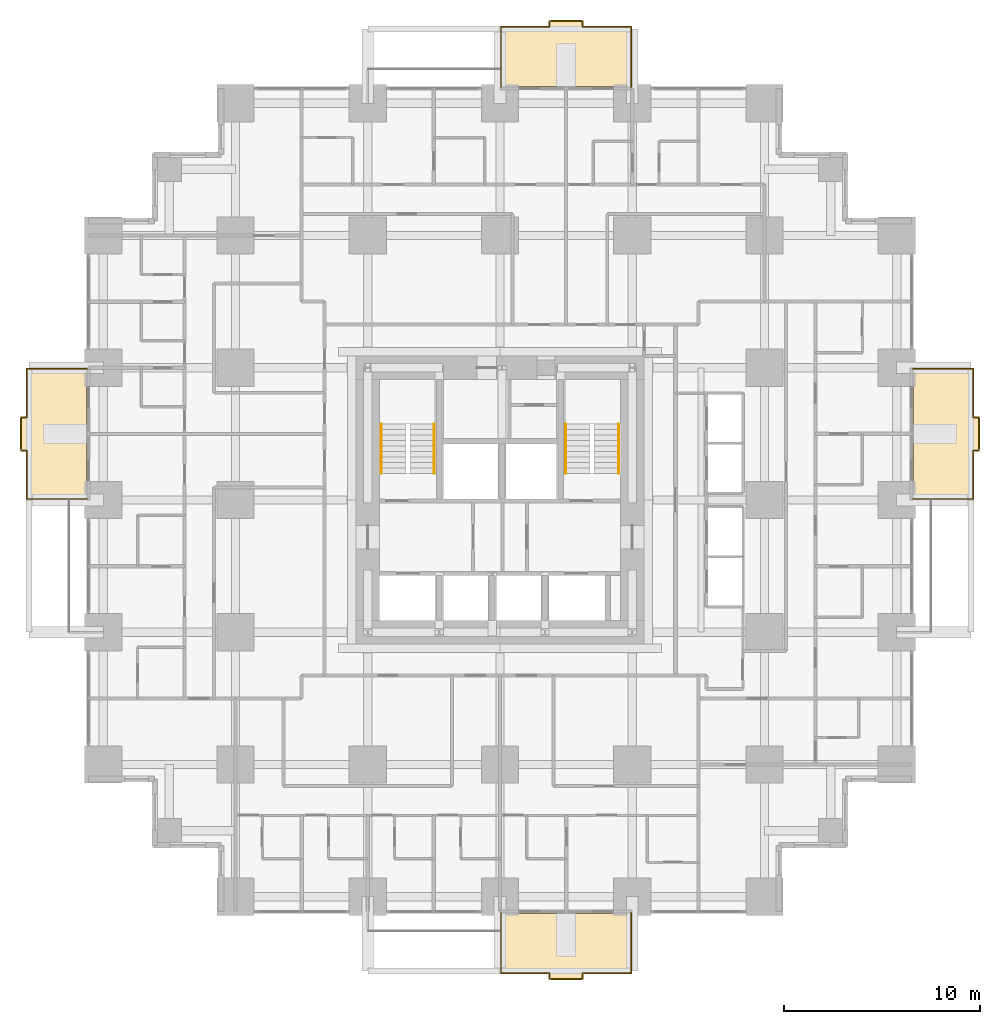
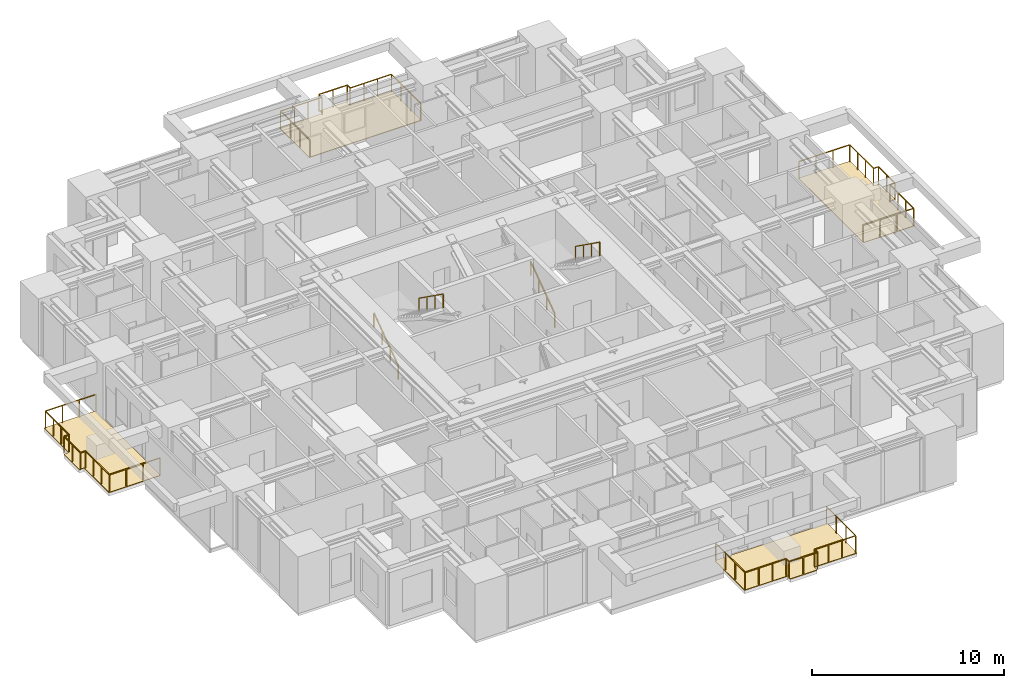
# One storey, part 14 of 14: 8 railings, 4 coverings.
"""IFC4 building model written with IfcOpenShell, lengths in metres."""

from ifc_helpers import new_model, si_unit, direction, frame, origin, origin_2d, place, context, subcontext, project, spatial, polyline, rectangle, outline, extrude, material, layer, layer_set, type_object, element, save


model = new_model("IFC4")

# Units and contexts
model_context = context("Model", 3, precision=1e-05, world=origin(), true_north=direction((0.0, 1.0)))
body_context = subcontext(model_context, "Body", "Model", "MODEL_VIEW")
ifc_project = project(units=[si_unit("LENGTHUNIT", "METRE"), si_unit("AREAUNIT", "SQUARE_METRE"), si_unit("VOLUMEUNIT", "CUBIC_METRE"), si_unit("PLANEANGLEUNIT", "RADIAN"), si_unit("MASSUNIT", "GRAM", prefix="KILO")], contexts=[model_context])

# Site, building, storey
site_placement = place(None, origin())
site = spatial("IfcSite", under=ifc_project, at=site_placement, CompositionType="ELEMENT")
building_placement = place(site_placement, origin())
building = spatial("IfcBuilding", under=site, at=building_placement, Name="Nyansa Garden Tower", CompositionType="ELEMENT")
storey_placement = place(building_placement, frame((0.0, 0.0, 43.199951171875)))
storey = spatial("IfcBuildingStorey", under=building, at=storey_placement, Name="L11", CompositionType="ELEMENT", Elevation=43.199951171875)

# Coverings
ifc_material_1 = material(Name="Hardwood decking on pedestals", Category="wood")
ifc_layer = layer(ifc_material_1, 0.0400390625)
ifc_layer_set = layer_set([ifc_layer], Name="Balcony decking DK40")
covering_type = type_object("IfcCoveringType", Name="Balcony decking DK40", PredefinedType="FLOORING", material=ifc_layer_set)
covering_1_placement = place(storey_placement, frame((0.0, 0.0, -0.0400390625)))
element("IfcCovering", 1, at=covering_1_placement, inside=storey, type_object=covering_type, Name="Balcony decking L11", PredefinedType="FLOORING", context=body_context, shape_type="SweptSolid", body=[
    extrude(outline(polyline([(20.25, -0.85009765625), (27.0, -0.85009765625), (27.0, -3.949951171875), (24.425048828125, -3.949951171875), (24.425048828125, -4.25), (22.824951171875, -4.25), (22.824951171875, -3.949951171875), (20.25, -3.949951171875), (20.25, -0.85009765625)])), origin(), (0.0, 0.0, 1.0), 0.0400390625),
])
covering_2_placement = place(storey_placement, frame((0.0, 0.0, -0.0400390625)))
element("IfcCovering", 2, at=covering_2_placement, inside=storey, type_object=covering_type, Name="Balcony decking L11", PredefinedType="FLOORING", context=body_context, shape_type="SweptSolid", body=[
    extrude(outline(polyline([(41.35009765625, 20.25), (41.35009765625, 27.0), (44.449951171875, 27.0), (44.449951171875, 24.425048828125), (44.75, 24.425048828125), (44.75, 22.824951171875), (44.449951171875, 22.824951171875), (44.449951171875, 20.25), (41.35009765625, 20.25)])), origin(), (0.0, 0.0, 1.0), 0.0400390625),
])
covering_3_placement = place(storey_placement, frame((0.0, 0.0, -0.0400390625)))
element("IfcCovering", 3, at=covering_3_placement, inside=storey, type_object=covering_type, Name="Balcony decking L11", PredefinedType="FLOORING", context=body_context, shape_type="SweptSolid", body=[
    extrude(outline(polyline([(20.25, 41.35009765625), (27.0, 41.35009765625), (27.0, 44.449951171875), (24.425048828125, 44.449951171875), (24.425048828125, 44.75), (22.824951171875, 44.75), (22.824951171875, 44.449951171875), (20.25, 44.449951171875), (20.25, 41.35009765625)])), origin(), (0.0, 0.0, 1.0), 0.0400390625),
])
covering_4_placement = place(storey_placement, frame((0.0, 0.0, -0.0400390625)))
element("IfcCovering", 4, at=covering_4_placement, inside=storey, type_object=covering_type, Name="Balcony decking L11", PredefinedType="FLOORING", context=body_context, shape_type="SweptSolid", body=[
    extrude(outline(polyline([(-0.85009765625, 20.25), (-0.85009765625, 27.0), (-3.949951171875, 27.0), (-3.949951171875, 24.425048828125), (-4.25, 24.425048828125), (-4.25, 22.824951171875), (-3.949951171875, 22.824951171875), (-3.949951171875, 20.25), (-0.85009765625, 20.25)])), origin(), (0.0, 0.0, 1.0), 0.0400390625),
])

# Railings
ifc_material_2 = material(Name="Black powder-coated steel balusters, laminated glass infill", Category="steel")
railing_type_1 = type_object("IfcRailingType", Name="Balcony guard G1", PredefinedType="GUARDRAIL", material=ifc_material_2)
railing_1_placement = place(storey_placement, frame((20.300048828125, -0.85009765625, 0.0)))
element("IfcRailing", 5, at=railing_1_placement, inside=storey, type_object=railing_type_1, Name="Balcony guard L11", PredefinedType="GUARDRAIL", context=body_context, shape_type="SweptSolid", body=[
    extrude(rectangle(XDim=0.048095703125, YDim=0.048095703125, at=origin_2d()), frame((0.0, 0.0, 1.076171875), z_axis=(0.0, -1.0, 0.0), x_axis=(1.0, 0.0, 0.0)), (0.0, 0.0, 1.0), 3.0498046875),
    extrude(rectangle(XDim=0.048095703125, YDim=0.048095703125, at=origin_2d()), frame((0.0, -3.0498046875, 1.076171875), z_axis=(1.0, 0.0, 0.0), x_axis=(0.0, 1.0, 0.0)), (0.0, 0.0, 1.0), 2.474853515625),
    extrude(rectangle(XDim=0.048095703125, YDim=0.048095703125, at=origin_2d()), frame((2.474853515625, -3.0498046875, 1.076171875), z_axis=(0.0, -1.0, 0.0), x_axis=(1.0, 0.0, 0.0)), (0.0, 0.0, 1.0), 0.300048828125),
    extrude(rectangle(XDim=0.048095703125, YDim=0.048095703125, at=origin_2d()), frame((2.474853515625, -3.349853515625, 1.076171875), z_axis=(1.0, 0.0, 0.0), x_axis=(0.0, 1.0, 0.0)), (0.0, 0.0, 1.0), 1.7001953125),
    extrude(rectangle(XDim=0.048095703125, YDim=0.048095703125, at=origin_2d()), frame((4.175048828125, -3.349853515625, 1.076171875), z_axis=(0.0, 1.0, 0.0), x_axis=(-1.0, 0.0, 0.0)), (0.0, 0.0, 1.0), 0.300048828125),
    extrude(rectangle(XDim=0.048095703125, YDim=0.048095703125, at=origin_2d()), frame((4.175048828125, -3.0498046875, 1.076171875), z_axis=(1.0, 0.0, 0.0), x_axis=(0.0, 1.0, 0.0)), (0.0, 0.0, 1.0), 2.474853515625),
    extrude(rectangle(XDim=0.048095703125, YDim=0.048095703125, at=origin_2d()), frame((6.64990234375, -3.0498046875, 1.076171875), z_axis=(0.0, 1.0, 0.0), x_axis=(-1.0, 0.0, 0.0)), (0.0, 0.0, 1.0), 3.0498046875),
    extrude(rectangle(XDim=0.0419921875, YDim=0.0419921875, at=origin_2d()), origin(), (0.0, 0.0, 1.0), 1.052001953125),
    extrude(rectangle(XDim=0.0419921875, YDim=0.0419921875, at=origin_2d()), frame((0.0, -1.0166015625, 0.0)), (0.0, 0.0, 1.0), 1.052001953125),
    extrude(rectangle(XDim=0.0419921875, YDim=0.0419921875, at=origin_2d()), frame((0.0, -2.033203125, 0.0)), (0.0, 0.0, 1.0), 1.052001953125),
    extrude(rectangle(XDim=0.0419921875, YDim=0.0419921875, at=origin_2d()), frame((0.0, -3.0498046875, 0.0)), (0.0, 0.0, 1.0), 1.052001953125),
    extrude(rectangle(XDim=0.0419921875, YDim=0.0419921875, at=origin_2d()), frame((0.824951171875, -3.0498046875, 0.0)), (0.0, 0.0, 1.0), 1.052001953125),
    extrude(rectangle(XDim=0.0419921875, YDim=0.0419921875, at=origin_2d()), frame((1.64990234375, -3.0498046875, 0.0)), (0.0, 0.0, 1.0), 1.052001953125),
    extrude(rectangle(XDim=0.0419921875, YDim=0.0419921875, at=origin_2d()), frame((2.474853515625, -3.0498046875, 0.0)), (0.0, 0.0, 1.0), 1.052001953125),
    extrude(rectangle(XDim=0.0419921875, YDim=0.0419921875, at=origin_2d()), frame((2.474853515625, -3.349853515625, 0.0)), (0.0, 0.0, 1.0), 1.052001953125),
    extrude(rectangle(XDim=0.0419921875, YDim=0.0419921875, at=origin_2d()), frame((3.324951171875, -3.349853515625, 0.0)), (0.0, 0.0, 1.0), 1.052001953125),
    extrude(rectangle(XDim=0.0419921875, YDim=0.0419921875, at=origin_2d()), frame((4.175048828125, -3.349853515625, 0.0)), (0.0, 0.0, 1.0), 1.052001953125),
    extrude(rectangle(XDim=0.0419921875, YDim=0.0419921875, at=origin_2d()), frame((4.175048828125, -3.0498046875, 0.0)), (0.0, 0.0, 1.0), 1.052001953125),
    extrude(rectangle(XDim=0.0419921875, YDim=0.0419921875, at=origin_2d()), frame((5.0, -3.0498046875, 0.0)), (0.0, 0.0, 1.0), 1.052001953125),
    extrude(rectangle(XDim=0.0419921875, YDim=0.0419921875, at=origin_2d()), frame((5.824951171875, -3.0498046875, 0.0)), (0.0, 0.0, 1.0), 1.052001953125),
    extrude(rectangle(XDim=0.0419921875, YDim=0.0419921875, at=origin_2d()), frame((6.64990234375, -3.0498046875, 0.0)), (0.0, 0.0, 1.0), 1.052001953125),
    extrude(rectangle(XDim=0.0419921875, YDim=0.0419921875, at=origin_2d()), frame((6.64990234375, -2.033203125, 0.0)), (0.0, 0.0, 1.0), 1.052001953125),
    extrude(rectangle(XDim=0.0419921875, YDim=0.0419921875, at=origin_2d()), frame((6.64990234375, -1.0166015625, 0.0)), (0.0, 0.0, 1.0), 1.052001953125),
    extrude(rectangle(XDim=0.0419921875, YDim=0.0419921875, at=origin_2d()), frame((6.64990234375, 0.0, 0.0)), (0.0, 0.0, 1.0), 1.052001953125),
])
railing_2_placement = place(storey_placement, frame((41.35009765625, 20.300048828125, 0.0)))
element("IfcRailing", 6, at=railing_2_placement, inside=storey, type_object=railing_type_1, Name="Balcony guard L11", PredefinedType="GUARDRAIL", context=body_context, shape_type="SweptSolid", body=[
    extrude(rectangle(XDim=0.048095703125, YDim=0.048095703125, at=origin_2d()), frame((0.0, 0.0, 1.076171875), z_axis=(1.0, 0.0, 0.0), x_axis=(0.0, 1.0, 0.0)), (0.0, 0.0, 1.0), 3.0498046875),
    extrude(rectangle(XDim=0.048095703125, YDim=0.048095703125, at=origin_2d()), frame((3.0498046875, 0.0, 1.076171875), z_axis=(0.0, 1.0, 0.0), x_axis=(-1.0, 0.0, 0.0)), (0.0, 0.0, 1.0), 2.474853515625),
    extrude(rectangle(XDim=0.048095703125, YDim=0.048095703125, at=origin_2d()), frame((3.0498046875, 2.474853515625, 1.076171875), z_axis=(1.0, 0.0, 0.0), x_axis=(0.0, 1.0, 0.0)), (0.0, 0.0, 1.0), 0.300048828125),
    extrude(rectangle(XDim=0.048095703125, YDim=0.048095703125, at=origin_2d()), frame((3.349853515625, 2.474853515625, 1.076171875), z_axis=(0.0, 1.0, 0.0), x_axis=(-1.0, 0.0, 0.0)), (0.0, 0.0, 1.0), 1.7001953125),
    extrude(rectangle(XDim=0.048095703125, YDim=0.048095703125, at=origin_2d()), frame((3.349853515625, 4.175048828125, 1.076171875), z_axis=(-1.0, 0.0, 0.0), x_axis=(0.0, -1.0, 0.0)), (0.0, 0.0, 1.0), 0.300048828125),
    extrude(rectangle(XDim=0.048095703125, YDim=0.048095703125, at=origin_2d()), frame((3.0498046875, 4.175048828125, 1.076171875), z_axis=(0.0, 1.0, 0.0), x_axis=(-1.0, 0.0, 0.0)), (0.0, 0.0, 1.0), 2.474853515625),
    extrude(rectangle(XDim=0.048095703125, YDim=0.048095703125, at=origin_2d()), frame((3.0498046875, 6.64990234375, 1.076171875), z_axis=(-1.0, 0.0, 0.0), x_axis=(0.0, -1.0, 0.0)), (0.0, 0.0, 1.0), 3.0498046875),
    extrude(rectangle(XDim=0.0419921875, YDim=0.0419921875, at=origin_2d()), origin(), (0.0, 0.0, 1.0), 1.052001953125),
    extrude(rectangle(XDim=0.0419921875, YDim=0.0419921875, at=origin_2d()), frame((1.0166015625, 0.0, 0.0)), (0.0, 0.0, 1.0), 1.052001953125),
    extrude(rectangle(XDim=0.0419921875, YDim=0.0419921875, at=origin_2d()), frame((2.033203125, 0.0, 0.0)), (0.0, 0.0, 1.0), 1.052001953125),
    extrude(rectangle(XDim=0.0419921875, YDim=0.0419921875, at=origin_2d()), frame((3.0498046875, 0.0, 0.0)), (0.0, 0.0, 1.0), 1.052001953125),
    extrude(rectangle(XDim=0.0419921875, YDim=0.0419921875, at=origin_2d()), frame((3.0498046875, 0.824951171875, 0.0)), (0.0, 0.0, 1.0), 1.052001953125),
    extrude(rectangle(XDim=0.0419921875, YDim=0.0419921875, at=origin_2d()), frame((3.0498046875, 1.64990234375, 0.0)), (0.0, 0.0, 1.0), 1.052001953125),
    extrude(rectangle(XDim=0.0419921875, YDim=0.0419921875, at=origin_2d()), frame((3.0498046875, 2.474853515625, 0.0)), (0.0, 0.0, 1.0), 1.052001953125),
    extrude(rectangle(XDim=0.0419921875, YDim=0.0419921875, at=origin_2d()), frame((3.349853515625, 2.474853515625, 0.0)), (0.0, 0.0, 1.0), 1.052001953125),
    extrude(rectangle(XDim=0.0419921875, YDim=0.0419921875, at=origin_2d()), frame((3.349853515625, 3.324951171875, 0.0)), (0.0, 0.0, 1.0), 1.052001953125),
    extrude(rectangle(XDim=0.0419921875, YDim=0.0419921875, at=origin_2d()), frame((3.349853515625, 4.175048828125, 0.0)), (0.0, 0.0, 1.0), 1.052001953125),
    extrude(rectangle(XDim=0.0419921875, YDim=0.0419921875, at=origin_2d()), frame((3.0498046875, 4.175048828125, 0.0)), (0.0, 0.0, 1.0), 1.052001953125),
    extrude(rectangle(XDim=0.0419921875, YDim=0.0419921875, at=origin_2d()), frame((3.0498046875, 5.0, 0.0)), (0.0, 0.0, 1.0), 1.052001953125),
    extrude(rectangle(XDim=0.0419921875, YDim=0.0419921875, at=origin_2d()), frame((3.0498046875, 5.824951171875, 0.0)), (0.0, 0.0, 1.0), 1.052001953125),
    extrude(rectangle(XDim=0.0419921875, YDim=0.0419921875, at=origin_2d()), frame((3.0498046875, 6.64990234375, 0.0)), (0.0, 0.0, 1.0), 1.052001953125),
    extrude(rectangle(XDim=0.0419921875, YDim=0.0419921875, at=origin_2d()), frame((2.033203125, 6.64990234375, 0.0)), (0.0, 0.0, 1.0), 1.052001953125),
    extrude(rectangle(XDim=0.0419921875, YDim=0.0419921875, at=origin_2d()), frame((1.0166015625, 6.64990234375, 0.0)), (0.0, 0.0, 1.0), 1.052001953125),
    extrude(rectangle(XDim=0.0419921875, YDim=0.0419921875, at=origin_2d()), frame((0.0, 6.64990234375, 0.0)), (0.0, 0.0, 1.0), 1.052001953125),
])
railing_3_placement = place(storey_placement, frame((20.300048828125, 41.35009765625, 0.0)))
element("IfcRailing", 7, at=railing_3_placement, inside=storey, type_object=railing_type_1, Name="Balcony guard L11", PredefinedType="GUARDRAIL", context=body_context, shape_type="SweptSolid", body=[
    extrude(rectangle(XDim=0.048095703125, YDim=0.048095703125, at=origin_2d()), frame((0.0, 0.0, 1.076171875), z_axis=(0.0, 1.0, 0.0), x_axis=(-1.0, 0.0, 0.0)), (0.0, 0.0, 1.0), 3.0498046875),
    extrude(rectangle(XDim=0.048095703125, YDim=0.048095703125, at=origin_2d()), frame((0.0, 3.0498046875, 1.076171875), z_axis=(1.0, 0.0, 0.0), x_axis=(0.0, 1.0, 0.0)), (0.0, 0.0, 1.0), 2.474853515625),
    extrude(rectangle(XDim=0.048095703125, YDim=0.048095703125, at=origin_2d()), frame((2.474853515625, 3.0498046875, 1.076171875), z_axis=(0.0, 1.0, 0.0), x_axis=(-1.0, 0.0, 0.0)), (0.0, 0.0, 1.0), 0.300048828125),
    extrude(rectangle(XDim=0.048095703125, YDim=0.048095703125, at=origin_2d()), frame((2.474853515625, 3.349853515625, 1.076171875), z_axis=(1.0, 0.0, 0.0), x_axis=(0.0, 1.0, 0.0)), (0.0, 0.0, 1.0), 1.7001953125),
    extrude(rectangle(XDim=0.048095703125, YDim=0.048095703125, at=origin_2d()), frame((4.175048828125, 3.349853515625, 1.076171875), z_axis=(0.0, -1.0, 0.0), x_axis=(1.0, 0.0, 0.0)), (0.0, 0.0, 1.0), 0.300048828125),
    extrude(rectangle(XDim=0.048095703125, YDim=0.048095703125, at=origin_2d()), frame((4.175048828125, 3.0498046875, 1.076171875), z_axis=(1.0, 0.0, 0.0), x_axis=(0.0, 1.0, 0.0)), (0.0, 0.0, 1.0), 2.474853515625),
    extrude(rectangle(XDim=0.048095703125, YDim=0.048095703125, at=origin_2d()), frame((6.64990234375, 3.0498046875, 1.076171875), z_axis=(0.0, -1.0, 0.0), x_axis=(1.0, 0.0, 0.0)), (0.0, 0.0, 1.0), 3.0498046875),
    extrude(rectangle(XDim=0.0419921875, YDim=0.0419921875, at=origin_2d()), origin(), (0.0, 0.0, 1.0), 1.052001953125),
    extrude(rectangle(XDim=0.0419921875, YDim=0.0419921875, at=origin_2d()), frame((0.0, 1.0166015625, 0.0)), (0.0, 0.0, 1.0), 1.052001953125),
    extrude(rectangle(XDim=0.0419921875, YDim=0.0419921875, at=origin_2d()), frame((0.0, 2.033203125, 0.0)), (0.0, 0.0, 1.0), 1.052001953125),
    extrude(rectangle(XDim=0.0419921875, YDim=0.0419921875, at=origin_2d()), frame((0.0, 3.0498046875, 0.0)), (0.0, 0.0, 1.0), 1.052001953125),
    extrude(rectangle(XDim=0.0419921875, YDim=0.0419921875, at=origin_2d()), frame((0.824951171875, 3.0498046875, 0.0)), (0.0, 0.0, 1.0), 1.052001953125),
    extrude(rectangle(XDim=0.0419921875, YDim=0.0419921875, at=origin_2d()), frame((1.64990234375, 3.0498046875, 0.0)), (0.0, 0.0, 1.0), 1.052001953125),
    extrude(rectangle(XDim=0.0419921875, YDim=0.0419921875, at=origin_2d()), frame((2.474853515625, 3.0498046875, 0.0)), (0.0, 0.0, 1.0), 1.052001953125),
    extrude(rectangle(XDim=0.0419921875, YDim=0.0419921875, at=origin_2d()), frame((2.474853515625, 3.349853515625, 0.0)), (0.0, 0.0, 1.0), 1.052001953125),
    extrude(rectangle(XDim=0.0419921875, YDim=0.0419921875, at=origin_2d()), frame((3.324951171875, 3.349853515625, 0.0)), (0.0, 0.0, 1.0), 1.052001953125),
    extrude(rectangle(XDim=0.0419921875, YDim=0.0419921875, at=origin_2d()), frame((4.175048828125, 3.349853515625, 0.0)), (0.0, 0.0, 1.0), 1.052001953125),
    extrude(rectangle(XDim=0.0419921875, YDim=0.0419921875, at=origin_2d()), frame((4.175048828125, 3.0498046875, 0.0)), (0.0, 0.0, 1.0), 1.052001953125),
    extrude(rectangle(XDim=0.0419921875, YDim=0.0419921875, at=origin_2d()), frame((5.0, 3.0498046875, 0.0)), (0.0, 0.0, 1.0), 1.052001953125),
    extrude(rectangle(XDim=0.0419921875, YDim=0.0419921875, at=origin_2d()), frame((5.824951171875, 3.0498046875, 0.0)), (0.0, 0.0, 1.0), 1.052001953125),
    extrude(rectangle(XDim=0.0419921875, YDim=0.0419921875, at=origin_2d()), frame((6.64990234375, 3.0498046875, 0.0)), (0.0, 0.0, 1.0), 1.052001953125),
    extrude(rectangle(XDim=0.0419921875, YDim=0.0419921875, at=origin_2d()), frame((6.64990234375, 2.033203125, 0.0)), (0.0, 0.0, 1.0), 1.052001953125),
    extrude(rectangle(XDim=0.0419921875, YDim=0.0419921875, at=origin_2d()), frame((6.64990234375, 1.0166015625, 0.0)), (0.0, 0.0, 1.0), 1.052001953125),
    extrude(rectangle(XDim=0.0419921875, YDim=0.0419921875, at=origin_2d()), frame((6.64990234375, 0.0, 0.0)), (0.0, 0.0, 1.0), 1.052001953125),
])
railing_4_placement = place(storey_placement, frame((-0.85009765625, 20.300048828125, 0.0)))
element("IfcRailing", 8, at=railing_4_placement, inside=storey, type_object=railing_type_1, Name="Balcony guard L11", PredefinedType="GUARDRAIL", context=body_context, shape_type="SweptSolid", body=[
    extrude(rectangle(XDim=0.048095703125, YDim=0.048095703125, at=origin_2d()), frame((0.0, 0.0, 1.076171875), z_axis=(-1.0, 0.0, 0.0), x_axis=(0.0, -1.0, 0.0)), (0.0, 0.0, 1.0), 3.0498046875),
    extrude(rectangle(XDim=0.048095703125, YDim=0.048095703125, at=origin_2d()), frame((-3.0498046875, 0.0, 1.076171875), z_axis=(0.0, 1.0, 0.0), x_axis=(-1.0, 0.0, 0.0)), (0.0, 0.0, 1.0), 2.474853515625),
    extrude(rectangle(XDim=0.048095703125, YDim=0.048095703125, at=origin_2d()), frame((-3.0498046875, 2.474853515625, 1.076171875), z_axis=(-1.0, 0.0, 0.0), x_axis=(0.0, -1.0, 0.0)), (0.0, 0.0, 1.0), 0.300048828125),
    extrude(rectangle(XDim=0.048095703125, YDim=0.048095703125, at=origin_2d()), frame((-3.349853515625, 2.474853515625, 1.076171875), z_axis=(0.0, 1.0, 0.0), x_axis=(-1.0, 0.0, 0.0)), (0.0, 0.0, 1.0), 1.7001953125),
    extrude(rectangle(XDim=0.048095703125, YDim=0.048095703125, at=origin_2d()), frame((-3.349853515625, 4.175048828125, 1.076171875), z_axis=(1.0, 0.0, 0.0), x_axis=(0.0, 1.0, 0.0)), (0.0, 0.0, 1.0), 0.300048828125),
    extrude(rectangle(XDim=0.048095703125, YDim=0.048095703125, at=origin_2d()), frame((-3.0498046875, 4.175048828125, 1.076171875), z_axis=(0.0, 1.0, 0.0), x_axis=(-1.0, 0.0, 0.0)), (0.0, 0.0, 1.0), 2.474853515625),
    extrude(rectangle(XDim=0.048095703125, YDim=0.048095703125, at=origin_2d()), frame((-3.0498046875, 6.64990234375, 1.076171875), z_axis=(1.0, 0.0, 0.0), x_axis=(0.0, 1.0, 0.0)), (0.0, 0.0, 1.0), 3.0498046875),
    extrude(rectangle(XDim=0.0419921875, YDim=0.0419921875, at=origin_2d()), origin(), (0.0, 0.0, 1.0), 1.052001953125),
    extrude(rectangle(XDim=0.0419921875, YDim=0.0419921875, at=origin_2d()), frame((-1.0166015625, 0.0, 0.0)), (0.0, 0.0, 1.0), 1.052001953125),
    extrude(rectangle(XDim=0.0419921875, YDim=0.0419921875, at=origin_2d()), frame((-2.033203125, 0.0, 0.0)), (0.0, 0.0, 1.0), 1.052001953125),
    extrude(rectangle(XDim=0.0419921875, YDim=0.0419921875, at=origin_2d()), frame((-3.0498046875, 0.0, 0.0)), (0.0, 0.0, 1.0), 1.052001953125),
    extrude(rectangle(XDim=0.0419921875, YDim=0.0419921875, at=origin_2d()), frame((-3.0498046875, 0.824951171875, 0.0)), (0.0, 0.0, 1.0), 1.052001953125),
    extrude(rectangle(XDim=0.0419921875, YDim=0.0419921875, at=origin_2d()), frame((-3.0498046875, 1.64990234375, 0.0)), (0.0, 0.0, 1.0), 1.052001953125),
    extrude(rectangle(XDim=0.0419921875, YDim=0.0419921875, at=origin_2d()), frame((-3.0498046875, 2.474853515625, 0.0)), (0.0, 0.0, 1.0), 1.052001953125),
    extrude(rectangle(XDim=0.0419921875, YDim=0.0419921875, at=origin_2d()), frame((-3.349853515625, 2.474853515625, 0.0)), (0.0, 0.0, 1.0), 1.052001953125),
    extrude(rectangle(XDim=0.0419921875, YDim=0.0419921875, at=origin_2d()), frame((-3.349853515625, 3.324951171875, 0.0)), (0.0, 0.0, 1.0), 1.052001953125),
    extrude(rectangle(XDim=0.0419921875, YDim=0.0419921875, at=origin_2d()), frame((-3.349853515625, 4.175048828125, 0.0)), (0.0, 0.0, 1.0), 1.052001953125),
    extrude(rectangle(XDim=0.0419921875, YDim=0.0419921875, at=origin_2d()), frame((-3.0498046875, 4.175048828125, 0.0)), (0.0, 0.0, 1.0), 1.052001953125),
    extrude(rectangle(XDim=0.0419921875, YDim=0.0419921875, at=origin_2d()), frame((-3.0498046875, 5.0, 0.0)), (0.0, 0.0, 1.0), 1.052001953125),
    extrude(rectangle(XDim=0.0419921875, YDim=0.0419921875, at=origin_2d()), frame((-3.0498046875, 5.824951171875, 0.0)), (0.0, 0.0, 1.0), 1.052001953125),
    extrude(rectangle(XDim=0.0419921875, YDim=0.0419921875, at=origin_2d()), frame((-3.0498046875, 6.64990234375, 0.0)), (0.0, 0.0, 1.0), 1.052001953125),
    extrude(rectangle(XDim=0.0419921875, YDim=0.0419921875, at=origin_2d()), frame((-2.033203125, 6.64990234375, 0.0)), (0.0, 0.0, 1.0), 1.052001953125),
    extrude(rectangle(XDim=0.0419921875, YDim=0.0419921875, at=origin_2d()), frame((-1.0166015625, 6.64990234375, 0.0)), (0.0, 0.0, 1.0), 1.052001953125),
    extrude(rectangle(XDim=0.0419921875, YDim=0.0419921875, at=origin_2d()), frame((0.0, 6.64990234375, 0.0)), (0.0, 0.0, 1.0), 1.052001953125),
])
ifc_material_3 = material(Name="Black powder-coated steel tube 48 mm", Category="steel")
railing_type_2 = type_object("IfcRailingType", Name="Stair handrail HR1", PredefinedType="HANDRAIL", material=ifc_material_3)
railing_5_placement = place(storey_placement, frame((14.199951171875, 21.60009765625, 0.0)))
element("IfcRailing", 9, at=railing_5_placement, inside=storey, type_object=railing_type_2, Name="Stair S1 handrail L11", PredefinedType="HANDRAIL", context=body_context, shape_type="SweptSolid", body=[
    extrude(rectangle(XDim=0.048095703125, YDim=0.048095703125, at=origin_2d()), frame((0.0, 0.0, 0.8759765625), z_axis=(0.0, 0.813728144527, 0.581245650998), x_axis=(-1.0, 0.0, 0.0)), (0.0, 0.0, 1.0), 3.096923828125),
    extrude(rectangle(XDim=0.0419921875, YDim=0.0419921875, at=origin_2d()), origin(), (0.0, 0.0, 1.0), 0.851806640625),
    extrude(rectangle(XDim=0.0419921875, YDim=0.0419921875, at=origin_2d()), frame((0.0, 0.840087890625, 0.60009765625)), (0.0, 0.0, 1.0), 0.851806640625),
    extrude(rectangle(XDim=0.0419921875, YDim=0.0419921875, at=origin_2d()), frame((0.0, 1.679931640625, 1.199951171875)), (0.0, 0.0, 1.0), 0.851806640625),
    extrude(rectangle(XDim=0.0419921875, YDim=0.0419921875, at=origin_2d()), frame((0.0, 2.52001953125, 1.800048828125)), (0.0, 0.0, 1.0), 0.851806640625),
])
railing_6_placement = place(storey_placement, frame((16.89990234375, 24.1201171875, 1.800048828125)))
element("IfcRailing", 10, at=railing_6_placement, inside=storey, type_object=railing_type_2, Name="Stair S1 handrail L11", PredefinedType="HANDRAIL", context=body_context, shape_type="SweptSolid", body=[
    extrude(rectangle(XDim=0.048095703125, YDim=0.048095703125, at=origin_2d()), frame((0.0, 0.0, 0.8759765625), z_axis=(0.0, -0.813728144527, 0.581245650998), x_axis=(1.0, 0.0, 0.0)), (0.0, 0.0, 1.0), 3.096923828125),
    extrude(rectangle(XDim=0.0419921875, YDim=0.0419921875, at=origin_2d()), origin(), (0.0, 0.0, 1.0), 0.851806640625),
    extrude(rectangle(XDim=0.0419921875, YDim=0.0419921875, at=origin_2d()), frame((0.0, -0.840087890625, 0.60009765625)), (0.0, 0.0, 1.0), 0.851806640625),
    extrude(rectangle(XDim=0.0419921875, YDim=0.0419921875, at=origin_2d()), frame((0.0, -1.679931640625, 1.199951171875)), (0.0, 0.0, 1.0), 0.851806640625),
    extrude(rectangle(XDim=0.0419921875, YDim=0.0419921875, at=origin_2d()), frame((0.0, -2.52001953125, 1.800048828125)), (0.0, 0.0, 1.0), 0.851806640625),
])
railing_7_placement = place(storey_placement, frame((23.60009765625, 21.60009765625, 0.0)))
element("IfcRailing", 11, at=railing_7_placement, inside=storey, type_object=railing_type_2, Name="Stair S2 handrail L11", PredefinedType="HANDRAIL", context=body_context, shape_type="SweptSolid", body=[
    extrude(rectangle(XDim=0.048095703125, YDim=0.048095703125, at=origin_2d()), frame((0.0, 0.0, 0.8759765625), z_axis=(0.0, 0.813728144527, 0.581245650998), x_axis=(-1.0, 0.0, 0.0)), (0.0, 0.0, 1.0), 3.096923828125),
    extrude(rectangle(XDim=0.0419921875, YDim=0.0419921875, at=origin_2d()), origin(), (0.0, 0.0, 1.0), 0.851806640625),
    extrude(rectangle(XDim=0.0419921875, YDim=0.0419921875, at=origin_2d()), frame((0.0, 0.840087890625, 0.60009765625)), (0.0, 0.0, 1.0), 0.851806640625),
    extrude(rectangle(XDim=0.0419921875, YDim=0.0419921875, at=origin_2d()), frame((0.0, 1.679931640625, 1.199951171875)), (0.0, 0.0, 1.0), 0.851806640625),
    extrude(rectangle(XDim=0.0419921875, YDim=0.0419921875, at=origin_2d()), frame((0.0, 2.52001953125, 1.800048828125)), (0.0, 0.0, 1.0), 0.851806640625),
])
railing_8_placement = place(storey_placement, frame((26.300048828125, 24.1201171875, 1.800048828125)))
element("IfcRailing", 12, at=railing_8_placement, inside=storey, type_object=railing_type_2, Name="Stair S2 handrail L11", PredefinedType="HANDRAIL", context=body_context, shape_type="SweptSolid", body=[
    extrude(rectangle(XDim=0.048095703125, YDim=0.048095703125, at=origin_2d()), frame((0.0, 0.0, 0.8759765625), z_axis=(0.0, -0.813728144527, 0.581245650998), x_axis=(1.0, 0.0, 0.0)), (0.0, 0.0, 1.0), 3.096923828125),
    extrude(rectangle(XDim=0.0419921875, YDim=0.0419921875, at=origin_2d()), origin(), (0.0, 0.0, 1.0), 0.851806640625),
    extrude(rectangle(XDim=0.0419921875, YDim=0.0419921875, at=origin_2d()), frame((0.0, -0.840087890625, 0.60009765625)), (0.0, 0.0, 1.0), 0.851806640625),
    extrude(rectangle(XDim=0.0419921875, YDim=0.0419921875, at=origin_2d()), frame((0.0, -1.679931640625, 1.199951171875)), (0.0, 0.0, 1.0), 0.851806640625),
    extrude(rectangle(XDim=0.0419921875, YDim=0.0419921875, at=origin_2d()), frame((0.0, -2.52001953125, 1.800048828125)), (0.0, 0.0, 1.0), 0.851806640625),
])

save(model, "model.ifc")
